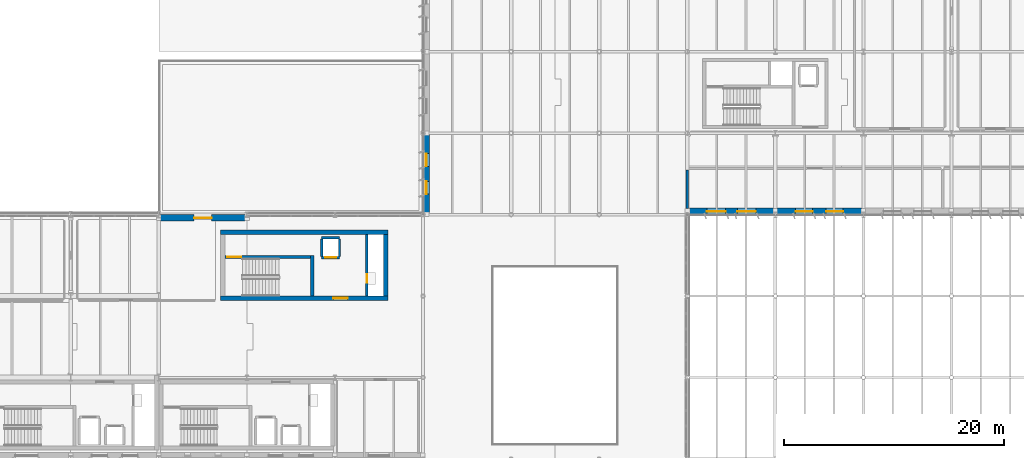
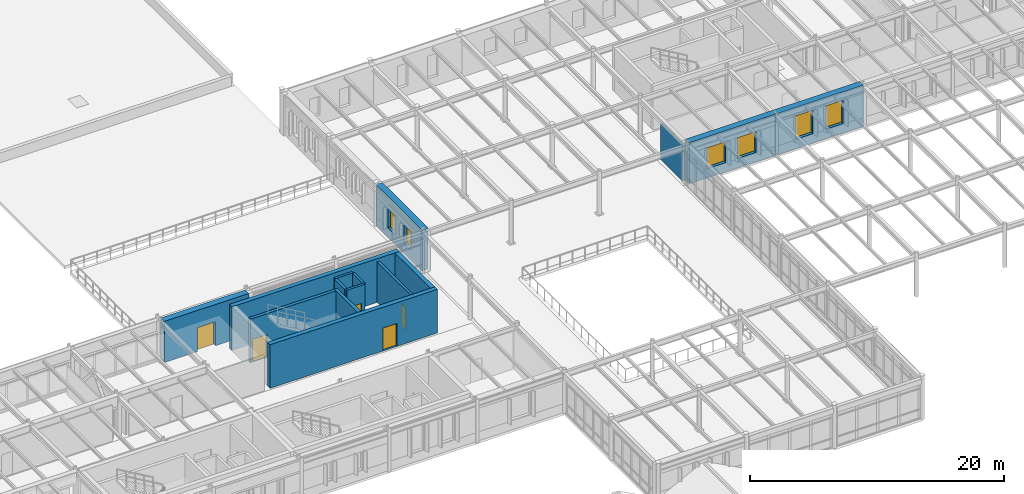
# One storey, part 41 of 63: 15 walls, 6 windows, 5 doors, 11 openings.
"""IFC4 building model written with IfcOpenShell, lengths in metres."""

import ifcopenshell
import ifcopenshell.guid

model = None  # the IFC model being written
_history = None  # IfcOwnerHistory: only IFC2X3 demands one
_inside = {}  # id of a spatial element -> (the spatial element, [elements in it])
_under = {}  # id of a project, library or spatial element -> (it, [spatial elements below it])
_declared = {}  # id of a project -> (the project, [libraries it declares])
_typed = {}  # id of a type object -> (the type object, [elements of that type])
_made_of = {}  # id of a material, layer set ... -> (it, [elements and type objects made of it])


def new_model(schema):
    """Start an empty IFC model of exactly this schema.

    Asked for "IFC4X3", IfcOpenShell would pick the latest addendum, in which some entities
    have other attributes; the version numbers below select the first issue.
    IFC2X3 requires an IfcOwnerHistory on every rooted entity: one is made here for all.
    """
    global model, _history
    if schema == "IFC4X3":
        model = ifcopenshell.file(schema_version=(4, 3, 0, 0))
    else:
        model = ifcopenshell.file(schema=schema)
    _inside.clear()
    _under.clear()
    _declared.clear()
    _typed.clear()
    _made_of.clear()
    _history = None
    if model.schema == "IFC2X3":
        org = make("IfcOrganization", Name="unknown")
        user = make(
            "IfcPersonAndOrganization",
            ThePerson=make("IfcPerson", FamilyName="unknown"),
            TheOrganization=org,
        )
        app = make(
            "IfcApplication",
            ApplicationDeveloper=org,
            Version="unknown",
            ApplicationFullName="unknown",
            ApplicationIdentifier="unknown",
        )
        _history = make(
            "IfcOwnerHistory",
            OwningUser=user,
            OwningApplication=app,
            ChangeAction="ADDED",
            CreationDate=0,
        )
    return model


def make(cls, **values):
    """One entity of the class cls with the attributes given. An attribute that is None is left unset."""
    return model.create_entity(
        cls, **{name: value for name, value in values.items() if value is not None}
    )


def rooted(cls, **values):
    """An entity with a GlobalId (a new one), such as an element, a storey or a relation."""
    return make(cls, GlobalId=ifcopenshell.guid.new(), OwnerHistory=_history, **values)


def si_unit(unit_type, name, prefix=None):
    """IfcSIUnit, for example si_unit("LENGTHUNIT", "METRE", prefix="MILLI")."""
    return make("IfcSIUnit", UnitType=unit_type, Prefix=prefix, Name=name)


def assignment(units):
    """IfcUnitAssignment: the units of a project."""
    return None if units is None else make("IfcUnitAssignment", Units=units)


def point(xyz):
    """IfcCartesianPoint."""
    return None if xyz is None else make("IfcCartesianPoint", Coordinates=xyz)


def direction(xyz):
    """IfcDirection."""
    return None if xyz is None else make("IfcDirection", DirectionRatios=xyz)


def frame(location, z_axis=None, x_axis=None):
    """IfcAxis2Placement3D, a coordinate frame: its origin and axes. An axis left out is left unset."""
    return make(
        "IfcAxis2Placement3D",
        Location=point(location),
        Axis=direction(z_axis),
        RefDirection=direction(x_axis),
    )


def frame_2d(location, x_axis=None):
    """IfcAxis2Placement2D, a coordinate frame in the plane: its origin and x axis."""
    return make(
        "IfcAxis2Placement2D", Location=point(location), RefDirection=direction(x_axis)
    )


def origin():
    """The frame at (0, 0, 0) with its axes left unset."""
    return frame((0.0, 0.0, 0.0))


def place(relative_to, where):
    """IfcLocalPlacement: puts the frame where relative to a parent placement (None: the world)."""
    return make(
        "IfcLocalPlacement", PlacementRelTo=relative_to, RelativePlacement=where
    )


def context(
    kind, dimensions, precision=None, world=None, true_north=None, identifier=None
):
    """IfcGeometricRepresentationContext, for example the 3D "Model" context."""
    return make(
        "IfcGeometricRepresentationContext",
        ContextIdentifier=identifier,
        ContextType=kind,
        CoordinateSpaceDimension=dimensions,
        Precision=precision,
        WorldCoordinateSystem=world,
        TrueNorth=true_north,
    )


def subcontext(parent, identifier, kind, view, scale=None):
    """IfcGeometricRepresentationSubContext, for example "Body" below "Model"."""
    return make(
        "IfcGeometricRepresentationSubContext",
        ContextIdentifier=identifier,
        ContextType=kind,
        ParentContext=parent,
        TargetScale=scale,
        TargetView=view,
    )


def project(units=None, contexts=None):
    """IfcProject with its units and contexts."""
    return rooted(
        "IfcProject",
        Name="project",
        RepresentationContexts=contexts,
        UnitsInContext=assignment(units),
    )


def spatial(cls, under=None, at=None, **own):
    """A site, building, storey or space (cls), placed at a placement, below another one or the project."""
    s = rooted(cls, ObjectPlacement=at, **own)
    if under is not None:
        _under.setdefault(under.id(), (under, []))[1].append(s)
    return s


def profile(cls, at=None, kind="AREA", **sizes):
    """A parametric profile (cls). Its sizes go by their IFC names, for example OverallWidth=200.0."""
    return make(cls, ProfileType=kind, Position=at, **sizes)


def rectangle(**sizes):
    """IfcRectangleProfileDef."""
    return profile("IfcRectangleProfileDef", **sizes)


def extrude(swept, where, along, depth):
    """IfcExtrudedAreaSolid: the profile swept, set in the frame where, extruded along a direction by depth."""
    return make(
        "IfcExtrudedAreaSolid",
        SweptArea=swept,
        Position=where,
        ExtrudedDirection=direction(along),
        Depth=depth,
    )


def shape(context_of_items, identifier, shape_type, items):
    """IfcShapeRepresentation: the items that make up one representation, for example the "Body"."""
    return make(
        "IfcShapeRepresentation",
        ContextOfItems=context_of_items,
        RepresentationIdentifier=identifier,
        RepresentationType=shape_type,
        Items=items,
    )


def material(Name=None, Category=None):
    """IfcMaterial."""
    return make("IfcMaterial", Name=Name, Category=Category)


def layer(
    of_material, thickness, ventilated=None, Name=None, Category=None, Priority=None
):
    """IfcMaterialLayer: one layer of a wall or slab, of a material (None: an air gap)."""
    return make(
        "IfcMaterialLayer",
        Material=of_material,
        LayerThickness=thickness,
        IsVentilated=ventilated,
        Name=Name,
        Category=Category,
        Priority=Priority,
    )


def layer_set(layers, Name=None):
    """IfcMaterialLayerSet."""
    return make("IfcMaterialLayerSet", MaterialLayers=layers, LayerSetName=Name)


def made_of(thing, what):
    """Note that an element or type object is made of a material, layer set ...; save() writes the relation."""
    if what is not None:
        _made_of.setdefault(what.id(), (what, []))[1].append(thing)
    return thing


def type_object(cls, material=None, **own):
    """A type object (cls), such as IfcWallType, which elements share."""
    return made_of(rooted(cls, **own), material)


def element(
    cls,
    number,
    at=None,
    inside=None,
    cuts=None,
    type_object=None,
    material=None,
    context=None,
    identifier="Body",
    shape_type=None,
    held_by="IfcProductDefinitionShape",
    body=None,
    shapes=None,
    **own,
):
    """One element of the class cls, such as IfcWall. Its Tag is "e" and its number.

    at: its placement. inside: the storey or other place that contains it. cuts: it is an
    opening in that element (IfcRelVoidsElement). A single representation is given by context,
    identifier, shape_type and body (its items); several are given by shapes. held_by: the class
    of the entity that holds the representations. save() writes the other relations.
    """
    e = rooted(cls, Tag="e%d" % number, ObjectPlacement=at, **own)
    if body is not None:
        shapes = [shape(context, identifier, shape_type, body)]
    if shapes is not None:
        e.Representation = make(held_by, Representations=shapes)
    if inside is not None:
        _inside.setdefault(inside.id(), (inside, []))[1].append(e)
    if cuts is not None:
        rooted(
            "IfcRelVoidsElement", RelatingBuildingElement=cuts, RelatedOpeningElement=e
        )
    if type_object is not None:
        _typed.setdefault(type_object.id(), (type_object, []))[1].append(e)
    return made_of(e, material)


def fill(opening, filler):
    """IfcRelFillsElement: the door or window that sits in an opening."""
    return rooted(
        "IfcRelFillsElement",
        RelatingOpeningElement=opening,
        RelatedBuildingElement=filler,
    )


def aggregate(whole, parts):
    """IfcRelAggregates: a whole, such as a stair, and the parts it consists of."""
    return rooted("IfcRelAggregates", RelatingObject=whole, RelatedObjects=parts)


def save(model, path):
    """Write the relations noted so far, then the file.

    IfcRelAggregates (storeys below a building ...), IfcRelContainedInSpatialStructure (elements
    in a storey), IfcRelDefinesByType, IfcRelAssociatesMaterial and IfcRelDeclares: one each for
    every whole, place, type object, material and project.
    """
    for whole, parts in _under.values():
        aggregate(whole, parts)
    for where, things in _inside.values():
        rooted(
            "IfcRelContainedInSpatialStructure",
            RelatedElements=things,
            RelatingStructure=where,
        )
    for kind, things in _typed.values():
        rooted("IfcRelDefinesByType", RelatedObjects=things, RelatingType=kind)
    for what, things in _made_of.values():
        rooted("IfcRelAssociatesMaterial", RelatedObjects=things, RelatingMaterial=what)
    for by, libraries in _declared.values():
        rooted("IfcRelDeclares", RelatingContext=by, RelatedDefinitions=libraries)
    model.write(path)


model = new_model("IFC4")

# Units and contexts
model_context = context("Model", 3, precision=1e-05, world=origin(), true_north=direction((0.0, 1.0)))
body_context = subcontext(model_context, "Body", "Model", "MODEL_VIEW")
ifc_project = project(units=[si_unit("LENGTHUNIT", "METRE"), si_unit("AREAUNIT", "SQUARE_METRE"), si_unit("VOLUMEUNIT", "CUBIC_METRE"), si_unit("PLANEANGLEUNIT", "RADIAN"), si_unit("MASSUNIT", "GRAM", prefix="KILO")], contexts=[model_context])

# Site, building, storey
site_placement = place(None, origin())
site = spatial("IfcSite", under=ifc_project, at=site_placement, CompositionType="ELEMENT")
building_placement = place(site_placement, origin())
building = spatial("IfcBuilding", under=site, at=building_placement, Name="Valkorina Park Police Headquarters", CompositionType="ELEMENT")
storey_placement = place(building_placement, frame((0.0, 0.0, 9.89990234375)))
storey = spatial("IfcBuildingStorey", under=building, at=storey_placement, Name="L03", CompositionType="ELEMENT", Elevation=9.89990234375)

# Wall, opening, door
ifc_material_1 = material(Name="Autoclaved aerated concrete masonry", Category="masonry")
ifc_layer_1 = layer(ifc_material_1, 0.219970703125)
ifc_layer_set_1 = layer_set([ifc_layer_1], Name="Autoclaved aerated concrete masonry")
wall_type_1 = type_object("IfcWallType", Name="WL-CHASE-220-EI60", PredefinedType="PLUMBINGWALL", material=ifc_layer_set_1)
wall_1_placement = place(storey_placement, frame((47.590087890625, 55.2900390625, 0.0), z_axis=(0.0, 0.0, 1.0), x_axis=(1.0, 0.0, 0.0)))
wall_1 = element("IfcWall", 1, at=wall_1_placement, inside=storey, type_object=wall_type_1, Name="Lift LF-05 L03 Shaft Front Wall", PredefinedType="PLUMBINGWALL", context=body_context, shape_type="SweptSolid", body=[
    extrude(rectangle(XDim=1.619873046875, YDim=0.219970703125, at=frame_2d((0.81005859375, 0.0))), origin(), (0.0, 0.0, 1.0), 3.920166015625),
])
opening_1_placement = place(wall_1_placement, frame((0.31005859375, 0.0, 0.0)))
opening_1 = element("IfcOpeningElement", 2, at=opening_1_placement, cuts=wall_1, Name="Opening LD-02", PredefinedType="OPENING", context=body_context, shape_type="SweptSolid", body=[
    extrude(rectangle(XDim=1.0, YDim=2.199951171875, at=frame_2d((0.5, 1.10009765625))), frame((0.0, 0.1201171875, 0.0), z_axis=(0.0, -1.0, 0.0), x_axis=(1.0, 0.0, 0.0)), (0.0, 0.0, 1.0), 0.239990234375),
])
ifc_material_2 = material(Name="Stainless steel EN 1.4404", Category="steel")
ifc_layer_2 = layer(ifc_material_2, 0.050048828125)
ifc_layer_set_2 = layer_set([ifc_layer_2], Name="Stainless steel EN 1.4404")
door_type_1 = type_object("IfcDoorType", Name="DR-LIFT-PAX-1000x2200", OperationType="NOTDEFINED", PredefinedType="DOOR", material=ifc_layer_set_2)
door_1_placement = place(opening_1_placement, origin())
door_1 = element("IfcDoor", 3, at=door_1_placement, inside=storey, type_object=door_type_1, Name="Lift Landing Door LF-05-L03", OperationType="DOUBLE_DOOR_SLIDING", OverallHeight=2.199951171875, OverallWidth=1.0, PredefinedType="DOOR", context=body_context, shape_type="SweptSolid", body=[
    extrude(rectangle(XDim=1.0, YDim=2.199951171875, at=frame_2d((0.5, 1.10009765625))), frame((0.0, 0.02490234375, 0.0), z_axis=(0.0, -1.0, 0.0), x_axis=(1.0, 0.0, 0.0)), (0.0, 0.0, 1.0), 0.050048828125),
])
fill(opening_1, door_1)

# Walls
wall_2_placement = place(storey_placement, frame((47.590087890625, 57.110107421875, 0.0), z_axis=(0.0, 0.0, 1.0), x_axis=(1.0, 0.0, 0.0)))
element("IfcWall", 4, at=wall_2_placement, inside=storey, type_object=wall_type_1, Name="Lift LF-05 L03 Shaft Back Wall", PredefinedType="PLUMBINGWALL", context=body_context, shape_type="SweptSolid", body=[
    extrude(rectangle(XDim=1.619873046875, YDim=0.219970703125, at=frame_2d((0.81005859375, 0.0))), origin(), (0.0, 0.0, 1.0), 3.920166015625),
])
for number, where, z_axis, x_axis, name in (
    (5, (47.590087890625, 55.39990234375, 0.0), (0.0, 0.0, 1.0), (0.0, 1.0, 0.0), "Lift LF-05 L03 Shaft Side Wall W"),
    (6, (49.2099609375, 55.39990234375, 0.0), (0.0, 0.0, 1.0), (0.0, 1.0, 0.0), "Lift LF-05 L03 Shaft Side Wall E"),
):
    element("IfcWall", number, at=place(storey_placement, frame(where, z_axis=z_axis, x_axis=x_axis)), inside=storey, type_object=wall_type_1, Name=name, PredefinedType="PLUMBINGWALL", context=body_context, shape_type="SweptSolid", body=[
        extrude(rectangle(XDim=1.60009765625, YDim=0.219970703125, at=frame_2d((0.800048828125, 0.0))), origin(), (0.0, 0.0, 1.0), 3.920166015625),
    ])

# Wall, opening, door
wall_3_placement = place(storey_placement, frame((51.68994140625, 51.800048828125, 0.0), z_axis=(0.0, 0.0, 1.0), x_axis=(0.0, 1.0, 0.0)))
wall_3 = element("IfcWall", 7, at=wall_3_placement, inside=storey, type_object=wall_type_1, Name="Core C3 L03 Riser Shaft West Wall", PredefinedType="PLUMBINGWALL", context=body_context, shape_type="SweptSolid", body=[
    extrude(rectangle(XDim=5.599853515625, YDim=0.219970703125, at=frame_2d((2.7998046875, 0.0))), origin(), (0.0, 0.0, 1.0), 3.920166015625),
])
opening_2_placement = place(wall_3_placement, frame((1.199951171875, 0.0, 0.0)))
opening_2 = element("IfcOpeningElement", 8, at=opening_2_placement, cuts=wall_3, Name="Opening ID-01", PredefinedType="OPENING", context=body_context, shape_type="SweptSolid", body=[
    extrude(rectangle(XDim=0.800048828125, YDim=2.10009765625, at=frame_2d((0.39990234375, 1.050048828125))), frame((0.0, 0.1201171875, 0.0), z_axis=(0.0, -1.0, 0.0), x_axis=(1.0, 0.0, 0.0)), (0.0, 0.0, 1.0), 0.239990234375),
])
ifc_material_3 = material(Name="Galvanized steel door leaf", Category="steel")
ifc_layer_3 = layer(ifc_material_3, 0.050048828125)
ifc_layer_set_3 = layer_set([ifc_layer_3], Name="Galvanized steel door leaf")
door_type_2 = type_object("IfcDoorType", Name="DR-INT-RISER-800x2100", OperationType="NOTDEFINED", PredefinedType="DOOR", material=ifc_layer_set_3)
door_2_placement = place(opening_2_placement, origin())
door_2 = element("IfcDoor", 9, at=door_2_placement, inside=storey, type_object=door_type_2, Name="Riser Shaft Access Door C3-L03", OperationType="SINGLE_SWING_RIGHT", OverallHeight=2.10009765625, OverallWidth=0.800048828125, PredefinedType="DOOR", context=body_context, shape_type="SweptSolid", body=[
    extrude(rectangle(XDim=0.800048828125, YDim=2.10009765625, at=frame_2d((0.39990234375, 1.050048828125))), frame((0.0, 0.02490234375, 0.0), z_axis=(0.0, -1.0, 0.0), x_axis=(1.0, 0.0, 0.0)), (0.0, 0.0, 1.0), 0.050048828125),
])
fill(opening_2, door_2)

ifc_material_4 = material(Name="Concrete C40/50", Category="concrete")
ifc_layer_4 = layer(ifc_material_4, 0.39990234375)
ifc_layer_set_4 = layer_set([ifc_layer_4], Name="Concrete C40/50")
wall_type_2 = type_object("IfcWallType", Name="WL-CORE-400-REI180", PredefinedType="SHEAR", material=ifc_layer_set_4)
wall_4_placement = place(storey_placement, frame((38.39990234375, 51.60009765625, 0.0), z_axis=(0.0, 0.0, 1.0), x_axis=(1.0, 0.0, 0.0)))
wall_4 = element("IfcWall", 10, at=wall_4_placement, inside=storey, type_object=wall_type_2, Name="Core C3 L03 Shear Wall S", PredefinedType="SHEAR", context=body_context, shape_type="SweptSolid", body=[
    extrude(rectangle(XDim=15.2001953125, YDim=0.39990234375, at=frame_2d((7.60009765625, 0.0))), origin(), (0.0, 0.0, 1.0), 4.195068359375),
])
opening_3_placement = place(wall_4_placement, frame((10.25, 0.0, 0.0)))
opening_3 = element("IfcOpeningElement", 11, at=opening_3_placement, cuts=wall_4, Name="Opening FD-03", PredefinedType="OPENING", context=body_context, shape_type="SweptSolid", body=[
    extrude(rectangle(XDim=1.300048828125, YDim=2.199951171875, at=frame_2d((0.64990234375, 1.10009765625))), frame((0.0, 0.2099609375, 0.0), z_axis=(0.0, -1.0, 0.0), x_axis=(1.0, 0.0, 0.0)), (0.0, 0.0, 1.0), 0.419921875),
])
ifc_layer_5 = layer(ifc_material_3, 0.050048828125)
ifc_layer_set_5 = layer_set([ifc_layer_5], Name="Galvanized steel door leaf")
door_type_3 = type_object("IfcDoorType", Name="DR-FIRE-STAIR-1300x2200", OperationType="NOTDEFINED", PredefinedType="DOOR", material=ifc_layer_set_5)
door_3_placement = place(opening_3_placement, origin())
door_3 = element("IfcDoor", 12, at=door_3_placement, inside=storey, type_object=door_type_3, Name="Door D-L03-LBY-C3 (Core C3 Lobby Fire Door)", OperationType="SINGLE_SWING_LEFT", OverallHeight=2.199951171875, OverallWidth=1.300048828125, PredefinedType="DOOR", context=body_context, shape_type="SweptSolid", body=[
    extrude(rectangle(XDim=1.300048828125, YDim=2.199951171875, at=frame_2d((0.64990234375, 1.10009765625))), frame((0.0, 0.02490234375, 0.0), z_axis=(0.0, -1.0, 0.0), x_axis=(1.0, 0.0, 0.0)), (0.0, 0.0, 1.0), 0.050048828125),
])
fill(opening_3, door_3)

# Walls
wall_5_placement = place(storey_placement, frame((38.39990234375, 57.60009765625, 0.0), z_axis=(0.0, 0.0, 1.0), x_axis=(1.0, 0.0, 0.0)))
element("IfcWall", 13, at=wall_5_placement, inside=storey, type_object=wall_type_2, Name="Core C3 L03 Shear Wall N", PredefinedType="SHEAR", context=body_context, shape_type="SweptSolid", body=[
    extrude(rectangle(XDim=15.2001953125, YDim=0.39990234375, at=frame_2d((7.60009765625, 0.0))), origin(), (0.0, 0.0, 1.0), 4.195068359375),
])
wall_6_placement = place(storey_placement, frame((53.39990234375, 51.800048828125, 0.0), z_axis=(0.0, 0.0, 1.0), x_axis=(0.0, 1.0, 0.0)))
element("IfcWall", 14, at=wall_6_placement, inside=storey, type_object=wall_type_2, Name="Core C3 L03 Shear Wall E", PredefinedType="SHEAR", context=body_context, shape_type="SweptSolid", body=[
    extrude(rectangle(XDim=5.599853515625, YDim=0.39990234375, at=frame_2d((2.7998046875, 0.0))), origin(), (0.0, 0.0, 1.0), 4.195068359375),
])
ifc_layer_6 = layer(ifc_material_1, 0.199951171875)
ifc_layer_set_6 = layer_set([ifc_layer_6], Name="Autoclaved aerated concrete masonry")
wall_type_3 = type_object("IfcWallType", Name="WL-CORR-200-EI60", PredefinedType="STANDARD", material=ifc_layer_set_6)
wall_7_placement = place(storey_placement, frame((80.800048828125, 59.739990234375, 0.0), z_axis=(0.0, 0.0, 1.0), x_axis=(0.0, 1.0, 0.0)))
element("IfcWall", 15, at=wall_7_placement, inside=storey, type_object=wall_type_3, Name="L03 Interior Partition 0171 (L03-TEL-01)", PredefinedType="STANDARD", context=body_context, shape_type="SweptSolid", body=[
    extrude(rectangle(XDim=3.52001953125, YDim=0.199951171875, at=frame_2d((1.760009765625, 0.0))), origin(), (0.0, 0.0, 1.0), 3.41015625),
])

# Wall, opening, door
ifc_material_5 = material(Name="Concrete C35/45", Category="concrete")
ifc_layer_7 = layer(ifc_material_5, 0.580078125)
ifc_layer_set_7 = layer_set([ifc_layer_7], Name="Concrete C35/45")
wall_type_4 = type_object("IfcWallType", Name="WL-EXT-BOARD-580", PredefinedType="STANDARD", material=ifc_layer_set_7)
wall_8_placement = place(storey_placement, frame((32.9599609375, 58.909912109375, 0.0), z_axis=(0.0, 0.0, 1.0), x_axis=(1.0, 0.0, 0.0)))
wall_8 = element("IfcWall", 16, at=wall_8_placement, inside=storey, type_object=wall_type_4, Name="L03 Architectural Concrete Exterior Wall 0187", PredefinedType="STANDARD", context=body_context, shape_type="SweptSolid", body=[
    extrude(rectangle(XDim=7.679931640625, YDim=0.580078125, at=frame_2d((3.83984375, 0.0))), origin(), (0.0, 0.0, 1.0), 3.955078125),
])
opening_4_placement = place(wall_8_placement, frame((3.0400390625, 0.0, 0.0)))
opening_4 = element("IfcOpeningElement", 17, at=opening_4_placement, cuts=wall_8, Name="Opening ED-05", PredefinedType="OPENING", context=body_context, shape_type="SweptSolid", body=[
    extrude(rectangle(XDim=1.60009765625, YDim=2.300048828125, at=frame_2d((0.800048828125, 1.14990234375))), frame((0.0, 0.300048828125, 0.0), z_axis=(0.0, -1.0, 0.0), x_axis=(1.0, 0.0, 0.0)), (0.0, 0.0, 1.0), 0.60009765625),
])
ifc_material_6 = material(Name="Thermally broken aluminium AW-6060", Category="aluminium")
ifc_layer_8 = layer(ifc_material_6, 0.050048828125)
ifc_layer_set_8 = layer_set([ifc_layer_8], Name="Thermally broken aluminium AW-6060")
door_type_4 = type_object("IfcDoorType", Name="DR-EXT-TERR-1600x2300", OperationType="NOTDEFINED", PredefinedType="DOOR", material=ifc_layer_set_8)
door_4_placement = place(opening_4_placement, origin())
door_4 = element("IfcDoor", 18, at=door_4_placement, inside=storey, type_object=door_type_4, Name="Door D-L03-020 (TERR-L03-CUST Terrace Door)", OperationType="DOUBLE_DOOR_SINGLE_SWING", OverallHeight=2.300048828125, OverallWidth=1.60009765625, PredefinedType="DOOR", context=body_context, shape_type="SweptSolid", body=[
    extrude(rectangle(XDim=1.60009765625, YDim=2.300048828125, at=frame_2d((0.800048828125, 1.14990234375))), frame((0.0, 0.02490234375, 0.0), z_axis=(0.0, -1.0, 0.0), x_axis=(1.0, 0.0, 0.0)), (0.0, 0.0, 1.0), 0.050048828125),
])
fill(opening_4, door_4)

# Wall, openings, windows
wall_9_placement = place(storey_placement, frame((57.090087890625, 59.3876953125, 0.0), z_axis=(0.0, 0.0, 1.0), x_axis=(0.0, 1.0, 0.0)))
wall_9 = element("IfcWall", 19, at=wall_9_placement, inside=storey, type_object=wall_type_4, Name="L03 Architectural Concrete Exterior Wall 0188", PredefinedType="STANDARD", context=body_context, shape_type="SweptSolid", body=[
    extrude(rectangle(XDim=7.21240234375, YDim=0.580078125, at=frame_2d((3.606201171875, 0.0))), origin(), (0.0, 0.0, 1.0), 3.920166015625),
])
opening_5_placement = place(wall_9_placement, frame((1.6728515625, 0.0, 0.89990234375)))
opening_5 = element("IfcOpeningElement", 20, at=opening_5_placement, cuts=wall_9, Name="Opening WN-20", PredefinedType="OPENING", context=body_context, shape_type="SweptSolid", body=[
    extrude(rectangle(XDim=1.14990234375, YDim=1.85009765625, at=frame_2d((0.574951171875, 0.925048828125))), frame((0.0, 0.300048828125, 0.0), z_axis=(0.0, -1.0, 0.0), x_axis=(1.0, 0.0, 0.0)), (0.0, 0.0, 1.0), 0.60009765625),
])
opening_6_placement = place(wall_9_placement, frame((4.20166015625, 0.0, 0.89990234375)))
opening_6 = element("IfcOpeningElement", 21, at=opening_6_placement, cuts=wall_9, Name="Opening WN-20", PredefinedType="OPENING", context=body_context, shape_type="SweptSolid", body=[
    extrude(rectangle(XDim=1.14990234375, YDim=1.85009765625, at=frame_2d((0.574951171875, 0.925048828125))), frame((0.0, 0.300048828125, 0.0), z_axis=(0.0, -1.0, 0.0), x_axis=(1.0, 0.0, 0.0)), (0.0, 0.0, 1.0), 0.60009765625),
])
ifc_material_7 = material(Name="Triple low-E insulated glazing", Category="glass")
ifc_layer_9 = layer(ifc_material_7, 0.06005859375)
ifc_layer_set_9 = layer_set([ifc_layer_9], Name="Triple low-E insulated glazing")
window_type_1 = type_object("IfcWindowType", Name="WN-LAB-1150x1850", PartitioningType="SINGLE_PANEL", PredefinedType="WINDOW", material=ifc_layer_set_9)
window_1_placement = place(opening_5_placement, origin())
window_1 = element("IfcWindow", 22, at=window_1_placement, inside=storey, type_object=window_type_1, Name="Window L03-0311", OverallHeight=1.85009765625, OverallWidth=1.14990234375, PartitioningType="SINGLE_PANEL", PredefinedType="WINDOW", context=body_context, shape_type="SweptSolid", body=[
    extrude(rectangle(XDim=1.14990234375, YDim=1.85009765625, at=frame_2d((0.574951171875, 0.925048828125))), frame((0.0, 0.030029296875, 0.0), z_axis=(0.0, -1.0, 0.0), x_axis=(1.0, 0.0, 0.0)), (0.0, 0.0, 1.0), 0.06005859375),
])
fill(opening_5, window_1)
window_2_placement = place(opening_6_placement, origin())
window_2 = element("IfcWindow", 23, at=window_2_placement, inside=storey, type_object=window_type_1, Name="Window L03-0312", OverallHeight=1.85009765625, OverallWidth=1.14990234375, PartitioningType="SINGLE_PANEL", PredefinedType="WINDOW", context=body_context, shape_type="SweptSolid", body=[
    extrude(rectangle(XDim=1.14990234375, YDim=1.85009765625, at=frame_2d((0.574951171875, 0.925048828125))), frame((0.0, 0.030029296875, 0.0), z_axis=(0.0, -1.0, 0.0), x_axis=(1.0, 0.0, 0.0)), (0.0, 0.0, 1.0), 0.06005859375),
])
fill(opening_6, window_2)

wall_10_placement = place(storey_placement, frame((96.800048828125, 59.489990234375, 0.0), z_axis=(0.0, 0.0, 1.0), x_axis=(-1.0, 0.0, 0.0)))
wall_10 = element("IfcWall", 24, at=wall_10_placement, inside=storey, type_object=wall_type_4, Name="L03 Architectural Concrete Exterior Wall 0223", PredefinedType="STANDARD", context=body_context, shape_type="SweptSolid", body=[
    extrude(rectangle(XDim=8.0, YDim=0.580078125, at=frame_2d((4.0, 0.0))), origin(), (0.0, 0.0, 1.0), 3.955078125),
])
opening_7_placement = place(wall_10_placement, frame((1.842529296875, 0.0, 0.89990234375)))
opening_7 = element("IfcOpeningElement", 25, at=opening_7_placement, cuts=wall_10, Name="Opening WN-27", PredefinedType="OPENING", context=body_context, shape_type="SweptSolid", body=[
    extrude(rectangle(XDim=1.550048828125, YDim=2.25, at=frame_2d((0.77490234375, 1.125))), frame((0.0, 0.300048828125, 0.0), z_axis=(0.0, -1.0, 0.0), x_axis=(1.0, 0.0, 0.0)), (0.0, 0.0, 1.0), 0.60009765625),
])
opening_8_placement = place(wall_10_placement, frame((4.607421875, 0.0, 0.89990234375)))
opening_8 = element("IfcOpeningElement", 26, at=opening_8_placement, cuts=wall_10, Name="Opening WN-27", PredefinedType="OPENING", context=body_context, shape_type="SweptSolid", body=[
    extrude(rectangle(XDim=1.550048828125, YDim=2.25, at=frame_2d((0.77490234375, 1.125))), frame((0.0, 0.300048828125, 0.0), z_axis=(0.0, -1.0, 0.0), x_axis=(1.0, 0.0, 0.0)), (0.0, 0.0, 1.0), 0.60009765625),
])
ifc_layer_10 = layer(ifc_material_7, 0.06005859375)
ifc_layer_set_10 = layer_set([ifc_layer_10], Name="Triple low-E insulated glazing")
window_type_2 = type_object("IfcWindowType", Name="WN-COURT-1550x2250", PartitioningType="SINGLE_PANEL", PredefinedType="WINDOW", material=ifc_layer_set_10)
window_3_placement = place(opening_7_placement, origin())
window_3 = element("IfcWindow", 27, at=window_3_placement, inside=storey, type_object=window_type_2, Name="Window L03-0378", OverallHeight=2.25, OverallWidth=1.550048828125, PartitioningType="SINGLE_PANEL", PredefinedType="WINDOW", context=body_context, shape_type="SweptSolid", body=[
    extrude(rectangle(XDim=1.550048828125, YDim=2.25, at=frame_2d((0.77490234375, 1.125))), frame((0.0, 0.030029296875, 0.0), z_axis=(0.0, -1.0, 0.0), x_axis=(1.0, 0.0, 0.0)), (0.0, 0.0, 1.0), 0.06005859375),
])
fill(opening_7, window_3)
window_4_placement = place(opening_8_placement, origin())
window_4 = element("IfcWindow", 28, at=window_4_placement, inside=storey, type_object=window_type_2, Name="Window L03-0379", OverallHeight=2.25, OverallWidth=1.550048828125, PartitioningType="SINGLE_PANEL", PredefinedType="WINDOW", context=body_context, shape_type="SweptSolid", body=[
    extrude(rectangle(XDim=1.550048828125, YDim=2.25, at=frame_2d((0.77490234375, 1.125))), frame((0.0, 0.030029296875, 0.0), z_axis=(0.0, -1.0, 0.0), x_axis=(1.0, 0.0, 0.0)), (0.0, 0.0, 1.0), 0.06005859375),
])
fill(opening_8, window_4)

wall_11_placement = place(storey_placement, frame((88.800048828125, 59.489990234375, 0.0), z_axis=(0.0, 0.0, 1.0), x_axis=(-1.0, 0.0, 0.0)))
wall_11 = element("IfcWall", 29, at=wall_11_placement, inside=storey, type_object=wall_type_4, Name="L03 Architectural Concrete Exterior Wall 0224", PredefinedType="STANDARD", context=body_context, shape_type="SweptSolid", body=[
    extrude(rectangle(XDim=7.812255859375, YDim=0.580078125, at=frame_2d((3.90625, 0.0))), origin(), (0.0, 0.0, 1.0), 3.955078125),
])
opening_9_placement = place(wall_11_placement, frame((1.7587890625, 0.0, 0.89990234375)))
opening_9 = element("IfcOpeningElement", 30, at=opening_9_placement, cuts=wall_11, Name="Opening WN-28", PredefinedType="OPENING", context=body_context, shape_type="SweptSolid", body=[
    extrude(rectangle(XDim=1.699951171875, YDim=2.0, at=frame_2d((0.85009765625, 1.0))), frame((0.0, 0.300048828125, 0.0), z_axis=(0.0, -1.0, 0.0), x_axis=(1.0, 0.0, 0.0)), (0.0, 0.0, 1.0), 0.60009765625),
])
opening_10_placement = place(wall_11_placement, frame((4.513427734375, 0.0, 0.89990234375)))
opening_10 = element("IfcOpeningElement", 31, at=opening_10_placement, cuts=wall_11, Name="Opening WN-28", PredefinedType="OPENING", context=body_context, shape_type="SweptSolid", body=[
    extrude(rectangle(XDim=1.699951171875, YDim=2.0, at=frame_2d((0.85009765625, 1.0))), frame((0.0, 0.300048828125, 0.0), z_axis=(0.0, -1.0, 0.0), x_axis=(1.0, 0.0, 0.0)), (0.0, 0.0, 1.0), 0.60009765625),
])
ifc_layer_11 = layer(ifc_material_7, 0.06005859375)
ifc_layer_set_11 = layer_set([ifc_layer_11], Name="Triple low-E insulated glazing")
window_type_3 = type_object("IfcWindowType", Name="WN-COURT-1700x2000", PartitioningType="SINGLE_PANEL", PredefinedType="WINDOW", material=ifc_layer_set_11)
window_5_placement = place(opening_9_placement, origin())
window_5 = element("IfcWindow", 32, at=window_5_placement, inside=storey, type_object=window_type_3, Name="Window L03-0380", OverallHeight=2.0, OverallWidth=1.699951171875, PartitioningType="SINGLE_PANEL", PredefinedType="WINDOW", context=body_context, shape_type="SweptSolid", body=[
    extrude(rectangle(XDim=1.699951171875, YDim=2.0, at=frame_2d((0.85009765625, 1.0))), frame((0.0, 0.030029296875, 0.0), z_axis=(0.0, -1.0, 0.0), x_axis=(1.0, 0.0, 0.0)), (0.0, 0.0, 1.0), 0.06005859375),
])
fill(opening_9, window_5)
window_6_placement = place(opening_10_placement, origin())
window_6 = element("IfcWindow", 33, at=window_6_placement, inside=storey, type_object=window_type_3, Name="Window L03-0381", OverallHeight=2.0, OverallWidth=1.699951171875, PartitioningType="SINGLE_PANEL", PredefinedType="WINDOW", context=body_context, shape_type="SweptSolid", body=[
    extrude(rectangle(XDim=1.699951171875, YDim=2.0, at=frame_2d((0.85009765625, 1.0))), frame((0.0, 0.030029296875, 0.0), z_axis=(0.0, -1.0, 0.0), x_axis=(1.0, 0.0, 0.0)), (0.0, 0.0, 1.0), 0.06005859375),
])
fill(opening_10, window_6)

# Wall
ifc_layer_12 = layer(ifc_material_4, 0.280029296875)
ifc_layer_set_12 = layer_set([ifc_layer_12], Name="Concrete C40/50")
wall_type_5 = type_object("IfcWallType", Name="WL-STAIR-280-REI120", PredefinedType="SHEAR", material=ifc_layer_set_12)
wall_12_placement = place(storey_placement, frame((46.739990234375, 51.800048828125, 0.0), z_axis=(0.0, 0.0, 1.0), x_axis=(0.0, 1.0, 0.0)))
element("IfcWall", 34, at=wall_12_placement, inside=storey, type_object=wall_type_5, Name="Core C3 L03 Shear Wall DIV", PredefinedType="SHEAR", context=body_context, shape_type="SweptSolid", body=[
    extrude(rectangle(XDim=3.679931640625, YDim=0.280029296875, at=frame_2d((1.83984375, 0.0))), origin(), (0.0, 0.0, 1.0), 4.195068359375),
])

# Wall, opening, door
wall_13_placement = place(storey_placement, frame((38.800048828125, 55.340087890625, 0.0), z_axis=(0.0, 0.0, 1.0), x_axis=(1.0, 0.0, 0.0)))
wall_13 = element("IfcWall", 35, at=wall_13_placement, inside=storey, type_object=wall_type_5, Name="Core C3 L03 Shear Wall SIDE", PredefinedType="SHEAR", context=body_context, shape_type="SweptSolid", body=[
    extrude(rectangle(XDim=7.800048828125, YDim=0.280029296875, at=frame_2d((3.89990234375, 0.0))), origin(), (0.0, 0.0, 1.0), 4.195068359375),
])
opening_11_placement = place(wall_13_placement, frame((0.199951171875, 0.0, 0.0)))
opening_11 = element("IfcOpeningElement", 36, at=opening_11_placement, cuts=wall_13, Name="Opening FD-03", PredefinedType="OPENING", context=body_context, shape_type="SweptSolid", body=[
    extrude(rectangle(XDim=1.300048828125, YDim=2.199951171875, at=frame_2d((0.64990234375, 1.10009765625))), frame((0.0, 0.14990234375, 0.0), z_axis=(0.0, -1.0, 0.0), x_axis=(1.0, 0.0, 0.0)), (0.0, 0.0, 1.0), 0.300048828125),
])
door_5_placement = place(opening_11_placement, origin())
door_5 = element("IfcDoor", 37, at=door_5_placement, inside=storey, type_object=door_type_3, Name="Door D-L03-C103 (ST-03 Stair Fire Door)", OperationType="SINGLE_SWING_RIGHT", OverallHeight=2.199951171875, OverallWidth=1.300048828125, PredefinedType="DOOR", context=body_context, shape_type="SweptSolid", body=[
    extrude(rectangle(XDim=1.300048828125, YDim=2.199951171875, at=frame_2d((0.64990234375, 1.10009765625))), frame((0.0, 0.02490234375, 0.0), z_axis=(0.0, -1.0, 0.0), x_axis=(1.0, 0.0, 0.0)), (0.0, 0.0, 1.0), 0.050048828125),
])
fill(opening_11, door_5)

save(model, "model.ifc")
